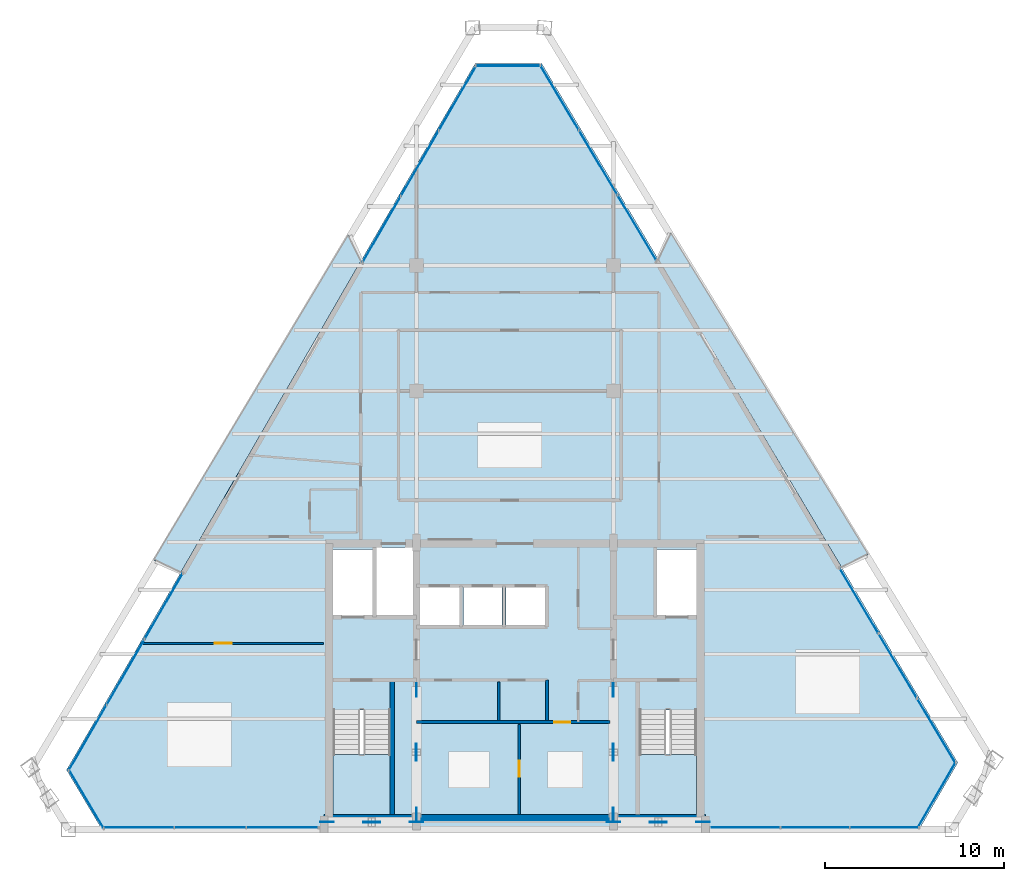
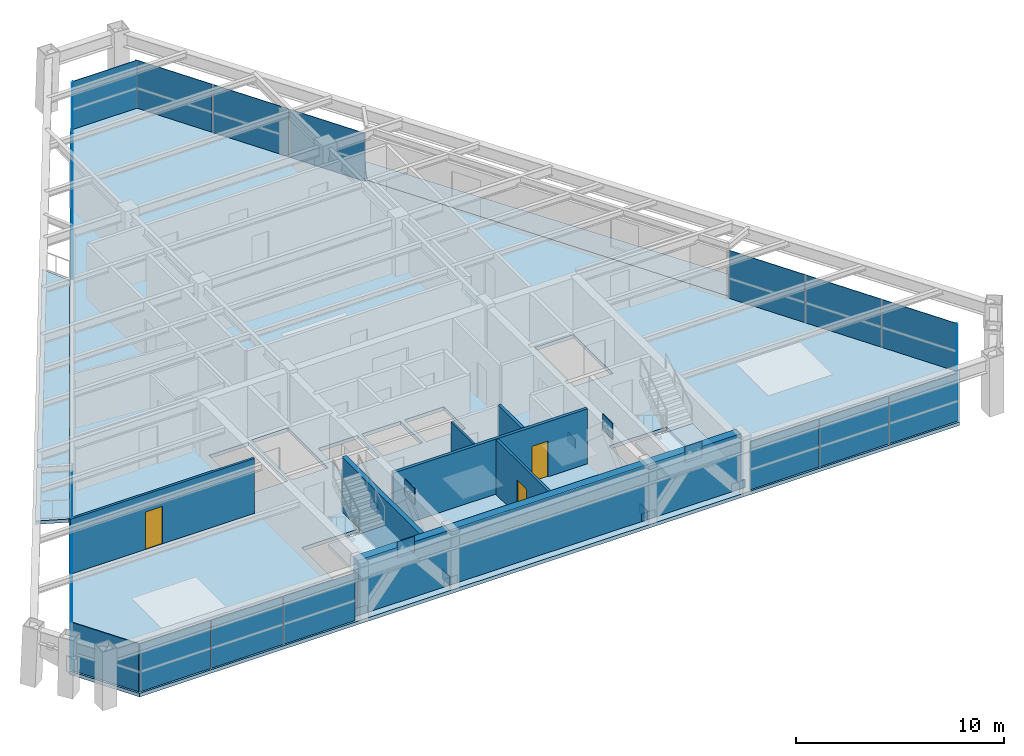
# One storey, part 8 of 13: 33 plates, 7 walls, 5 slabs, 3 doors, 3 openings, 11 elements without a shape of their own.
"""IFC4 building model written with IfcOpenShell, lengths in metres."""

from ifc_helpers import new_model, si_unit, direction, frame, frame_2d, origin, origin_2d, place, context, subcontext, project, spatial, polyline, rectangle, outline, extrude, source, transform, mapped, material, layer, layer_set, type_object, type_shapes, element, fill, aggregate, save


model = new_model("IFC4")

# Units and contexts
model_context = context("Model", 3, precision=1e-05, world=origin(), true_north=direction((0.0, 1.0)))
body_context = subcontext(model_context, "Body", "Model", "MODEL_VIEW")
ifc_project = project(units=[si_unit("LENGTHUNIT", "METRE"), si_unit("AREAUNIT", "SQUARE_METRE"), si_unit("VOLUMEUNIT", "CUBIC_METRE"), si_unit("PLANEANGLEUNIT", "RADIAN"), si_unit("MASSUNIT", "GRAM", prefix="KILO")], contexts=[model_context])

# Site, building, storey
site_placement = place(None, origin())
site = spatial("IfcSite", under=ifc_project, at=site_placement, CompositionType="ELEMENT")
building_placement = place(site_placement, origin())
building = spatial("IfcBuilding", under=site, at=building_placement, Name="Varnakhor Terracotta Tower", CompositionType="ELEMENT")
storey_placement = place(building_placement, frame((0.0, 0.0, 273.0)))
storey = spatial("IfcBuildingStorey", under=building, at=storey_placement, Name="L71", CompositionType="ELEMENT", Elevation=273.0)

# Slab
ifc_material_1 = material(Name="Concrete C40/50", Category="concrete")
ifc_layer_1 = layer(ifc_material_1, 0.2099609375, Name="Concrete C40/50")
ifc_layer_set_1 = layer_set([ifc_layer_1], Name="Concrete C40/50")
slab_type_1 = type_object("IfcSlabType", Name="SLB-HTL-210", PredefinedType="FLOOR", material=ifc_layer_set_1)
slab_1_placement = place(storey_placement, frame((0.0, 0.0, -0.2099609375)))
element("IfcSlab", 1, at=slab_1_placement, inside=storey, type_object=slab_type_1, Name="L71 Structural Floor Slab", PredefinedType="FLOOR", context=body_context, shape_type="SweptSolid", body=[
    extrude(outline(polyline([(-25.037109375, 3.33251953125), (-2.224853515625, 42.779541015625), (1.507080078125, 42.779541015625), (24.738525390625, 3.739990234375), (22.57568359375, 0.0), (-23.053955078125, 0.0), (-25.037109375, 3.33251953125)]), holes=[polyline([(-6.949951171875, 0.85009765625), (-6.949951171875, 6.695068359375), (-10.14990234375, 6.695068359375), (-10.14990234375, 0.85009765625), (-6.949951171875, 0.85009765625)]), polyline([(10.14990234375, 0.85009765625), (10.14990234375, 6.695068359375), (6.949951171875, 6.695068359375), (6.949951171875, 0.85009765625), (10.14990234375, 0.85009765625)]), polyline([(-3.10009765625, 11.419921875), (-3.10009765625, 13.52001953125), (-5.300048828125, 13.52001953125), (-5.300048828125, 11.419921875), (-3.10009765625, 11.419921875)]), polyline([(-0.719970703125, 11.419921875), (-0.719970703125, 13.52001953125), (-2.8798828125, 13.52001953125), (-2.8798828125, 11.419921875), (-0.719970703125, 11.419921875)]), polyline([(1.699951171875, 11.419921875), (1.699951171875, 13.52001953125), (-0.5, 13.52001953125), (-0.5, 11.419921875), (1.699951171875, 11.419921875)]), polyline([(-7.949951171875, 11.8798828125), (-7.949951171875, 15.64990234375), (-10.14990234375, 15.64990234375), (-10.14990234375, 11.8798828125), (-7.949951171875, 11.8798828125)]), polyline([(10.14990234375, 11.8798828125), (10.14990234375, 15.64990234375), (7.949951171875, 15.64990234375), (7.949951171875, 11.8798828125), (10.14990234375, 11.8798828125)]), polyline([(-5.699951171875, 11.8798828125), (-5.699951171875, 15.75), (-7.72998046875, 15.75), (-7.72998046875, 11.8798828125), (-5.699951171875, 11.8798828125)])]), origin(), (0.0, 0.0, 1.0), 0.2099609375),
])

# Stair, slab
stair_type = type_object("IfcStairType", Name="STR-CORE-HOTEL-1500", PredefinedType="HALF_TURN_STAIR", material=ifc_material_1)
stair_1_placement = place(storey_placement, origin())
stair_1 = element("IfcStair", 2, at=stair_1_placement, inside=storey, type_object=stair_type, Name="L71 Core Exit Stair ST-1", PredefinedType="HALF_TURN_STAIR")
ifc_layer_2 = layer(ifc_material_1, 0.179931640625, Name="Concrete C40/50")
ifc_layer_set_2 = layer_set([ifc_layer_2], Name="Concrete C40/50")
slab_type_2 = type_object("IfcSlabType", Name="SLB-LANDING-180", PredefinedType="LANDING", material=ifc_layer_set_2)
slab_2_placement = place(storey_placement, frame((0.0, 0.0, 1.52490234375)))
slab_2 = element("IfcSlab", 3, at=slab_2_placement, type_object=slab_type_2, Name="ST-1 landing 1", PredefinedType="LANDING", context=body_context, shape_type="SweptSolid", body=[
    extrude(outline(polyline([(-10.14990234375, 4.18994140625), (-10.14990234375, 0.85009765625), (-6.949951171875, 0.85009765625), (-6.949951171875, 4.18994140625), (-10.14990234375, 4.18994140625)])), origin(), (0.0, 0.0, 1.0), 0.2001953125),
])
aggregate(stair_1, [slab_2])

stair_2_placement = place(storey_placement, origin())
stair_2 = element("IfcStair", 4, at=stair_2_placement, inside=storey, type_object=stair_type, Name="L71 Core Exit Stair ST-2", PredefinedType="HALF_TURN_STAIR")
slab_3_placement = place(storey_placement, frame((0.0, 0.0, 1.52490234375)))
slab_3 = element("IfcSlab", 5, at=slab_3_placement, type_object=slab_type_2, Name="ST-2 landing 1", PredefinedType="LANDING", context=body_context, shape_type="SweptSolid", body=[
    extrude(outline(polyline([(6.949951171875, 4.18994140625), (6.949951171875, 0.85009765625), (10.14990234375, 0.85009765625), (10.14990234375, 4.18994140625), (6.949951171875, 4.18994140625)])), origin(), (0.0, 0.0, 1.0), 0.2001953125),
])
aggregate(stair_2, [slab_3])

# Slabs
ifc_layer_3 = layer(ifc_material_1, 0.195068359375, Name="Concrete C40/50")
ifc_layer_set_3 = layer_set([ifc_layer_3], Name="Concrete C40/50")
slab_type_3 = type_object("IfcSlabType", Name="SLB-LOGGIA-EXT-195", PredefinedType="FLOOR", material=ifc_layer_set_3)
slab_4_placement = place(storey_placement, frame((0.0, 0.0, -0.195068359375)))
element("IfcSlab", 6, at=slab_4_placement, inside=storey, type_object=slab_type_3, Name="L71 E Recessed Outdoor Loggia Slab", PredefinedType="FLOOR", context=body_context, shape_type="SweptSolid", body=[
    extrude(outline(polyline([(8.6875, 33.33837890625), (19.7314453125, 15.357421875), (18.23388671875, 14.671142578125), (8.011962890625, 31.848388671875), (8.6875, 33.33837890625)])), origin(), (0.0, 0.0, 1.0), 0.195068359375),
])
slab_5_placement = place(storey_placement, frame((0.0, 0.0, -0.195068359375)))
element("IfcSlab", 7, at=slab_5_placement, inside=storey, type_object=slab_type_3, Name="L71 W Recessed Outdoor Loggia Slab", PredefinedType="FLOOR", context=body_context, shape_type="SweptSolid", body=[
    extrude(outline(polyline([(-20.16162109375, 15.05029296875), (-9.293212890625, 33.218994140625), (-8.6123046875, 31.734375), (-12.767578125, 24.548828125), (-18.649658203125, 14.377685546875), (-20.16162109375, 15.05029296875)])), origin(), (0.0, 0.0, 1.0), 0.195068359375),
])

# Plates
ifc_material_2 = material(Name="Steel S460", Category="steel")
ifc_layer_4 = layer(ifc_material_2, 0.050048828125, Name="Steel S460")
ifc_layer_set_4 = layer_set([ifc_layer_4], Name="Steel S460")
plate_type_1 = type_object("IfcPlateType", Name="PLT-GUSSET-50", PredefinedType="USERDEFINED", material=ifc_layer_set_4)
shared_shape_1 = source(origin(), body_context, "Body", "SweptSolid", [
    extrude(rectangle(XDim=0.75, YDim=0.0400390625, at=origin_2d()), origin(), (0.0, 0.0, 1.0), 0.550048828125),
])
type_shapes(plate_type_1, [shared_shape_1])
for number, where, z_axis, x_axis, name in (
    (8, (-10.5, 0.419921875, -0.09521484375), (0.0, 0.0, 1.0), (1.0, 0.0, 0.0), "L71 Core Brace Embed Plate CSWA"),
    (9, (-5.5, 0.419921875, -0.09521484375), (0.0, 0.0, 1.0), (1.0, 0.0, 0.0), "L71 Core Brace Embed Plate CSWB"),
    (10, (5.5, 0.419921875, -0.09521484375), (0.0, 0.0, 1.0), (1.0, 0.0, 0.0), "L71 Core Brace Embed Plate CSEA"),
    (11, (10.5, 0.419921875, -0.09521484375), (0.0, 0.0, 1.0), (1.0, 0.0, 0.0), "L71 Core Brace Embed Plate CSEB"),
    (12, (-5.5, 0.85009765625, -0.09521484375), (0.0, 0.0, 1.0), (0.0, 1.0, 0.0), "L71 Core Brace Embed Plate CWWA"),
    (13, (-5.5, 7.800048828125, -0.09521484375), (0.0, 0.0, 1.0), (0.0, 1.0, 0.0), "L71 Core Brace Embed Plate CWWB"),
    (14, (5.5, 0.85009765625, -0.09521484375), (0.0, 0.0, 1.0), (0.0, 1.0, 0.0), "L71 Core Brace Embed Plate CWEA"),
    (15, (5.5, 7.800048828125, -0.09521484375), (0.0, 0.0, 1.0), (0.0, 1.0, 0.0), "L71 Core Brace Embed Plate CWEB"),
):
    element("IfcPlate", number, at=place(storey_placement, frame(where, z_axis=z_axis, x_axis=x_axis)), inside=storey, type_object=plate_type_1, Name=name, ObjectType="GUSSET PLATE", PredefinedType="USERDEFINED", context=body_context, shape_type="MappedRepresentation", body=[
        mapped(shared_shape_1, transform((0.0, 0.0, 0.0), scale=1.0)),
    ])
shared_shape_2 = source(origin(), body_context, "Body", "SweptSolid", [
    extrude(rectangle(XDim=0.949951171875, YDim=0.044921875, at=origin_2d()), origin(), (0.0, 0.0, 1.0), 0.949951171875),
])
for number, where, z_axis, x_axis, name in (
    (16, (-8.0, 0.419921875, 2.615234375), (0.0, 0.0, 1.0), (1.0, 0.0, 0.0), "L71 Core Brace Apex Gusset CSW"),
    (17, (8.0, 0.419921875, 2.615234375), (0.0, 0.0, 1.0), (1.0, 0.0, 0.0), "L71 Core Brace Apex Gusset CSE"),
    (18, (-5.5, 4.324951171875, 2.615234375), (0.0, 0.0, 1.0), (0.0, 1.0, 0.0), "L71 Core Brace Apex Gusset CWW"),
    (19, (5.5, 4.324951171875, 2.615234375), (0.0, 0.0, 1.0), (0.0, 1.0, 0.0), "L71 Core Brace Apex Gusset CWE"),
):
    element("IfcPlate", number, at=place(storey_placement, frame(where, z_axis=z_axis, x_axis=x_axis)), inside=storey, type_object=plate_type_1, Name=name, ObjectType="GUSSET PLATE", PredefinedType="USERDEFINED", context=body_context, shape_type="MappedRepresentation", body=[
        mapped(shared_shape_2, transform((0.0, 0.0, 0.0), scale=1.0)),
    ])

# Curtain wall, plates
ifc_material_3 = material(Name="Anodised Aluminium Curtain Wall System", Category="aluminium")
curtain_wall_type = type_object("IfcCurtainWallType", Name="CW-SYS-HOTEL-LOGGIA", PredefinedType="NOTDEFINED", material=ifc_material_3)
curtain_wall_1_placement = place(storey_placement, origin())
curtain_wall_1 = element("IfcCurtainWall", 20, at=curtain_wall_1_placement, inside=storey, type_object=curtain_wall_type, Name="L71 W Facet Curtain Wall 1", PredefinedType="NOTDEFINED")
ifc_material_4 = material(Name="Solar-Control Low-E Insulated Glass Panel", Category="glass")
ifc_layer_5 = layer(ifc_material_4, 0.033935546875, Name="Solar-Control Low-E Insulated Glass Panel")
ifc_layer_set_5 = layer_set([ifc_layer_5], Name="Solar-Control Low-E Insulated Glass Panel")
plate_type_2 = type_object("IfcPlateType", Name="CWP-04", PredefinedType="CURTAIN_PANEL", material=ifc_layer_set_5)
shared_shape_3 = source(origin(), body_context, "Body", "SweptSolid", [
    extrude(rectangle(XDim=4.193115234375, YDim=0.035888671875, at=origin_2d()), origin(), (0.0, 0.0, 1.0), 2.820068359375),
])
plate_1_placement = place(storey_placement, frame((-23.858642578125, 5.130615234375, 0.0), z_axis=(0.0, 0.0, 1.0), x_axis=(0.500619586714, 0.865667389589, 0.0)))
plate_1 = element("IfcPlate", 21, at=plate_1_placement, type_object=plate_type_2, Name="L71 W Facet Curtain Wall 1 Glazed Panel 1", PredefinedType="CURTAIN_PANEL", context=body_context, shape_type="MappedRepresentation", body=[
    mapped(shared_shape_3, transform((0.0, 0.0, 0.0), scale=1.0)),
])
plate_2_placement = place(storey_placement, frame((-21.739501953125, 8.794921875, 0.0), z_axis=(0.0, 0.0, 1.0), x_axis=(0.500619586714, 0.865667389589, 0.0)))
plate_2 = element("IfcPlate", 22, at=plate_2_placement, type_object=plate_type_2, Name="L71 W Facet Curtain Wall 1 Glazed Panel 2", PredefinedType="CURTAIN_PANEL", context=body_context, shape_type="MappedRepresentation", body=[
    mapped(shared_shape_3, transform((0.0, 0.0, 0.0), scale=1.0)),
])
plate_3_placement = place(storey_placement, frame((-19.620361328125, 12.45947265625, 0.0), z_axis=(0.0, 0.0, 1.0), x_axis=(0.500619586714, 0.865667389589, 0.0)))
plate_3 = element("IfcPlate", 23, at=plate_3_placement, type_object=plate_type_2, Name="L71 W Facet Curtain Wall 1 Glazed Panel 3", PredefinedType="CURTAIN_PANEL", context=body_context, shape_type="MappedRepresentation", body=[
    mapped(shared_shape_3, transform((0.0, 0.0, 0.0), scale=1.0)),
])
aggregate(curtain_wall_1, [plate_1, plate_2, plate_3])

curtain_wall_2_placement = place(storey_placement, origin())
curtain_wall_2 = element("IfcCurtainWall", 24, at=curtain_wall_2_placement, inside=storey, type_object=curtain_wall_type, Name="L71 W Facet Curtain Wall 2", PredefinedType="NOTDEFINED")
plate_4_placement = place(storey_placement, frame((-7.433837890625, 33.532470703125, 0.0), z_axis=(0.0, 0.0, 1.0), x_axis=(0.500619586714, 0.865667389589, 0.0)))
plate_4 = element("IfcPlate", 25, at=plate_4_placement, type_object=plate_type_2, Name="L71 W Facet Curtain Wall 2 Glazed Panel 1", PredefinedType="CURTAIN_PANEL", context=body_context, shape_type="MappedRepresentation", body=[
    mapped(shared_shape_3, transform((0.0, 0.0, 0.0), scale=1.0)),
])
plate_5_placement = place(storey_placement, frame((-5.314697265625, 37.197021484375, 0.0), z_axis=(0.0, 0.0, 1.0), x_axis=(0.500619586714, 0.865667389589, 0.0)))
plate_5 = element("IfcPlate", 26, at=plate_5_placement, type_object=plate_type_2, Name="L71 W Facet Curtain Wall 2 Glazed Panel 2", PredefinedType="CURTAIN_PANEL", context=body_context, shape_type="MappedRepresentation", body=[
    mapped(shared_shape_3, transform((0.0, 0.0, 0.0), scale=1.0)),
])
plate_6_placement = place(storey_placement, frame((-3.195556640625, 40.861328125, 0.0), z_axis=(0.0, 0.0, 1.0), x_axis=(0.500619586714, 0.865667389589, 0.0)))
plate_6 = element("IfcPlate", 27, at=plate_6_placement, type_object=plate_type_2, Name="L71 W Facet Curtain Wall 2 Glazed Panel 3", PredefinedType="CURTAIN_PANEL", context=body_context, shape_type="MappedRepresentation", body=[
    mapped(shared_shape_3, transform((0.0, 0.0, 0.0), scale=1.0)),
])
aggregate(curtain_wall_2, [plate_4, plate_5, plate_6])

# Curtain wall, plate
curtain_wall_3_placement = place(storey_placement, origin())
curtain_wall_3 = element("IfcCurtainWall", 28, at=curtain_wall_3_placement, inside=storey, type_object=curtain_wall_type, Name="L71 Facet Curtain Wall 2", PredefinedType="NOTDEFINED")
shared_shape_4 = source(origin(), body_context, "Body", "SweptSolid", [
    extrude(rectangle(XDim=3.632080078125, YDim=0.035888671875, at=origin_2d()), origin(), (0.0, 0.0, 1.0), 2.820068359375),
])
plate_7_placement = place(storey_placement, frame((-0.35888671875, 42.65966796875, 0.0), z_axis=(0.0, 0.0, 1.0), x_axis=(1.0, 0.0, 0.0)))
plate_7 = element("IfcPlate", 29, at=plate_7_placement, type_object=plate_type_2, Name="L71 Facet Curtain Wall 2 Glazed Panel 1", PredefinedType="CURTAIN_PANEL", context=body_context, shape_type="MappedRepresentation", body=[
    mapped(shared_shape_4, transform((0.0, 0.0, 0.0), scale=1.0)),
])
aggregate(curtain_wall_3, [plate_7])

# Curtain wall, plates
curtain_wall_4_placement = place(storey_placement, origin())
curtain_wall_4 = element("IfcCurtainWall", 30, at=curtain_wall_4_placement, inside=storey, type_object=curtain_wall_type, Name="L71 E Facet Curtain Wall 1", PredefinedType="NOTDEFINED")
shared_shape_5 = source(origin(), body_context, "Body", "SweptSolid", [
    extrude(rectangle(XDim=4.18017578125, YDim=0.035888671875, at=origin_2d()), origin(), (0.0, 0.0, 1.0), 2.820068359375),
])
plate_8_placement = place(storey_placement, frame((2.498291015625, 40.879150390625, 0.0), z_axis=(0.0, 0.0, 1.0), x_axis=(0.511383080102, -0.859352864303, 0.0)))
plate_8 = element("IfcPlate", 31, at=plate_8_placement, type_object=plate_type_2, Name="L71 E Facet Curtain Wall 1 Glazed Panel 1", PredefinedType="CURTAIN_PANEL", context=body_context, shape_type="MappedRepresentation", body=[
    mapped(shared_shape_5, transform((0.0, 0.0, 0.0), scale=1.0)),
])
plate_9_placement = place(storey_placement, frame((6.814453125, 33.626220703125, 0.0), z_axis=(0.0, 0.0, 1.0), x_axis=(0.511383080102, -0.859352864303, 0.0)))
plate_9 = element("IfcPlate", 32, at=plate_9_placement, type_object=plate_type_2, Name="L71 E Facet Curtain Wall 1 Glazed Panel 3", PredefinedType="CURTAIN_PANEL", context=body_context, shape_type="MappedRepresentation", body=[
    mapped(shared_shape_5, transform((0.0, 0.0, 0.0), scale=1.0)),
])

# Curtain wall, plate
curtain_wall_5_placement = place(storey_placement, origin())
curtain_wall_5 = element("IfcCurtainWall", 33, at=curtain_wall_5_placement, inside=storey, type_object=curtain_wall_type, Name="L71 E Facet Curtain Wall 2", PredefinedType="NOTDEFINED")
plate_10_placement = place(storey_placement, frame((21.383056640625, 9.144287109375, 0.0), z_axis=(0.0, 0.0, 1.0), x_axis=(0.511383080102, -0.859352864303, 0.0)))
plate_10 = element("IfcPlate", 34, at=plate_10_placement, type_object=plate_type_2, Name="L71 E Facet Curtain Wall 2 Glazed Panel 2", PredefinedType="CURTAIN_PANEL", context=body_context, shape_type="MappedRepresentation", body=[
    mapped(shared_shape_5, transform((0.0, 0.0, 0.0), scale=1.0)),
])

# Plate
shared_shape_6 = source(origin(), body_context, "Body", "SweptSolid", [
    extrude(rectangle(XDim=4.179931640625, YDim=0.035888671875, at=origin_2d()), origin(), (0.0, 0.0, 1.0), 2.820068359375),
])
plate_11_placement = place(storey_placement, frame((4.656494140625, 37.252685546875, 0.0), z_axis=(0.0, 0.0, 1.0), x_axis=(0.511383080102, -0.859352864303, 0.0)))
plate_11 = element("IfcPlate", 35, at=plate_11_placement, type_object=plate_type_2, Name="L71 E Facet Curtain Wall 1 Glazed Panel 2", PredefinedType="CURTAIN_PANEL", context=body_context, shape_type="MappedRepresentation", body=[
    mapped(shared_shape_6, transform((0.0, 0.0, 0.0), scale=1.0)),
])

aggregate(curtain_wall_4, [plate_8, plate_11, plate_9])

plate_12_placement = place(storey_placement, frame((19.22509765625, 12.770751953125, 0.0), z_axis=(0.0, 0.0, 1.0), x_axis=(0.511383080102, -0.859352864303, 0.0)))
plate_12 = element("IfcPlate", 36, at=plate_12_placement, type_object=plate_type_2, Name="L71 E Facet Curtain Wall 2 Glazed Panel 1", PredefinedType="CURTAIN_PANEL", context=body_context, shape_type="MappedRepresentation", body=[
    mapped(shared_shape_6, transform((0.0, 0.0, 0.0), scale=1.0)),
])

plate_13_placement = place(storey_placement, frame((23.541015625, 5.517822265625, 0.0), z_axis=(0.0, 0.0, 1.0), x_axis=(0.511383080102, -0.859352864303, 0.0)))
plate_13 = element("IfcPlate", 37, at=plate_13_placement, type_object=plate_type_2, Name="L71 E Facet Curtain Wall 2 Glazed Panel 3", PredefinedType="CURTAIN_PANEL", context=body_context, shape_type="MappedRepresentation", body=[
    mapped(shared_shape_6, transform((0.0, 0.0, 0.0), scale=1.0)),
])

aggregate(curtain_wall_5, [plate_12, plate_10, plate_13])

# Curtain wall, plate
curtain_wall_6_placement = place(storey_placement, origin())
curtain_wall_6 = element("IfcCurtainWall", 38, at=curtain_wall_6_placement, inside=storey, type_object=curtain_wall_type, Name="L71 Facet Curtain Wall 4", PredefinedType="NOTDEFINED")
shared_shape_7 = source(origin(), body_context, "Body", "SweptSolid", [
    extrude(rectangle(XDim=4.220703125, YDim=0.035888671875, at=origin_2d()), origin(), (0.0, 0.0, 1.0), 2.820068359375),
])
plate_14_placement = place(storey_placement, frame((23.55322265625, 1.93017578125, 0.0), z_axis=(0.0, 0.0, 1.0), x_axis=(-0.500634695384, -0.865658651997, 0.0)))
plate_14 = element("IfcPlate", 39, at=plate_14_placement, type_object=plate_type_2, Name="L71 Facet Curtain Wall 4 Glazed Panel 1", PredefinedType="CURTAIN_PANEL", context=body_context, shape_type="MappedRepresentation", body=[
    mapped(shared_shape_7, transform((0.0, 0.0, 0.0), scale=1.0)),
])
aggregate(curtain_wall_6, [plate_14])

# Curtain wall, plates
curtain_wall_7_placement = place(storey_placement, origin())
curtain_wall_7 = element("IfcCurtainWall", 40, at=curtain_wall_7_placement, inside=storey, type_object=curtain_wall_type, Name="L71 South Wing Curtain Wall SSE", PredefinedType="NOTDEFINED")
shared_shape_8 = source(origin(), body_context, "Body", "SweptSolid", [
    extrude(rectangle(XDim=3.8251953125, YDim=0.035888671875, at=origin_2d()), origin(), (0.0, 0.0, 1.0), 2.820068359375),
])
plate_15_placement = place(storey_placement, frame((20.633056640625, 0.1201171875, 0.0), z_axis=(0.0, 0.0, 1.0), x_axis=(-1.0, 0.0, 0.0)))
plate_15 = element("IfcPlate", 41, at=plate_15_placement, type_object=plate_type_2, Name="L71 South Wing Curtain Wall SSE Glazed Panel 1", PredefinedType="CURTAIN_PANEL", context=body_context, shape_type="MappedRepresentation", body=[
    mapped(shared_shape_8, transform((0.0, 0.0, 0.0), scale=1.0)),
])
plate_16_placement = place(storey_placement, frame((16.767822265625, 0.1201171875, 0.0), z_axis=(0.0, 0.0, 1.0), x_axis=(-1.0, 0.0, 0.0)))
plate_16 = element("IfcPlate", 42, at=plate_16_placement, type_object=plate_type_2, Name="L71 South Wing Curtain Wall SSE Glazed Panel 2", PredefinedType="CURTAIN_PANEL", context=body_context, shape_type="MappedRepresentation", body=[
    mapped(shared_shape_8, transform((0.0, 0.0, 0.0), scale=1.0)),
])
plate_17_placement = place(storey_placement, frame((12.902587890625, 0.1201171875, 0.0), z_axis=(0.0, 0.0, 1.0), x_axis=(-1.0, 0.0, 0.0)))
plate_17 = element("IfcPlate", 43, at=plate_17_placement, type_object=plate_type_2, Name="L71 South Wing Curtain Wall SSE Glazed Panel 3", PredefinedType="CURTAIN_PANEL", context=body_context, shape_type="MappedRepresentation", body=[
    mapped(shared_shape_8, transform((0.0, 0.0, 0.0), scale=1.0)),
])
aggregate(curtain_wall_7, [plate_15, plate_16, plate_17])

curtain_wall_8_placement = place(storey_placement, origin())
curtain_wall_8 = element("IfcCurtainWall", 44, at=curtain_wall_8_placement, inside=storey, type_object=curtain_wall_type, Name="L71 South Wing Curtain Wall SSW", PredefinedType="NOTDEFINED")
shared_shape_9 = source(origin(), body_context, "Body", "SweptSolid", [
    extrude(rectangle(XDim=3.984619140625, YDim=0.035888671875, at=origin_2d()), origin(), (0.0, 0.0, 1.0), 2.820068359375),
])
plate_18_placement = place(storey_placement, frame((-12.982421875, 0.1201171875, 0.0), z_axis=(0.0, 0.0, 1.0), x_axis=(-1.0, 0.0, 0.0)))
plate_18 = element("IfcPlate", 45, at=plate_18_placement, type_object=plate_type_2, Name="L71 South Wing Curtain Wall SSW Glazed Panel 1", PredefinedType="CURTAIN_PANEL", context=body_context, shape_type="MappedRepresentation", body=[
    mapped(shared_shape_9, transform((0.0, 0.0, 0.0), scale=1.0)),
])
plate_19_placement = place(storey_placement, frame((-17.007080078125, 0.1201171875, 0.0), z_axis=(0.0, 0.0, 1.0), x_axis=(-1.0, 0.0, 0.0)))
plate_19 = element("IfcPlate", 46, at=plate_19_placement, type_object=plate_type_2, Name="L71 South Wing Curtain Wall SSW Glazed Panel 2", PredefinedType="CURTAIN_PANEL", context=body_context, shape_type="MappedRepresentation", body=[
    mapped(shared_shape_9, transform((0.0, 0.0, 0.0), scale=1.0)),
])
plate_20_placement = place(storey_placement, frame((-21.031494140625, 0.1201171875, 0.0), z_axis=(0.0, 0.0, 1.0), x_axis=(-1.0, 0.0, 0.0)))
plate_20 = element("IfcPlate", 47, at=plate_20_placement, type_object=plate_type_2, Name="L71 South Wing Curtain Wall SSW Glazed Panel 3", PredefinedType="CURTAIN_PANEL", context=body_context, shape_type="MappedRepresentation", body=[
    mapped(shared_shape_9, transform((0.0, 0.0, 0.0), scale=1.0)),
])
aggregate(curtain_wall_8, [plate_18, plate_19, plate_20])

# Curtain wall, plate
curtain_wall_9_placement = place(storey_placement, origin())
curtain_wall_9 = element("IfcCurtainWall", 48, at=curtain_wall_9_placement, inside=storey, type_object=curtain_wall_type, Name="L71 Facet Curtain Wall 6", PredefinedType="NOTDEFINED")
shared_shape_10 = source(origin(), body_context, "Body", "SweptSolid", [
    extrude(rectangle(XDim=3.778076171875, YDim=0.035888671875, at=origin_2d()), origin(), (0.0, 0.0, 1.0), 2.820068359375),
])
plate_21_placement = place(storey_placement, frame((-23.9423828125, 1.7275390625, 0.0), z_axis=(0.0, 0.0, 1.0), x_axis=(-0.511383080102, 0.859352864303, 0.0)))
plate_21 = element("IfcPlate", 49, at=plate_21_placement, type_object=plate_type_2, Name="L71 Facet Curtain Wall 6 Glazed Panel 1", PredefinedType="CURTAIN_PANEL", context=body_context, shape_type="MappedRepresentation", body=[
    mapped(shared_shape_10, transform((0.0, 0.0, 0.0), scale=1.0)),
])
aggregate(curtain_wall_9, [plate_21])

# Wall
ifc_material_5 = material(Name="Concrete C50/60", Category="concrete")
ifc_layer_6 = layer(ifc_material_5, 0.449951171875, Name="Concrete C50/60")
ifc_layer_set_6 = layer_set([ifc_layer_6], Name="Concrete C50/60")
wall_type_1 = type_object("IfcWallType", Name="WAL-CORE-450", PredefinedType="SHEAR", material=ifc_layer_set_6)
wall_1_placement = place(storey_placement, frame((-10.64990234375, 0.625, 0.0), z_axis=(0.0, 0.0, 1.0), x_axis=(1.0, 0.0, 0.0)))
element("IfcWall", 50, at=wall_1_placement, inside=storey, type_object=wall_type_1, Name="L71 South Core Shear Wall", PredefinedType="SHEAR", context=body_context, shape_type="SweptSolid", body=[
    extrude(rectangle(XDim=21.2998046875, YDim=0.449951171875, at=frame_2d((10.64990234375, 0.0))), origin(), (0.0, 0.0, 1.0), 3.239990234375),
])

# Wall, opening, door
ifc_material_6 = material(Name="Acoustic Hotel Room Partition", Category="gypsum")
ifc_layer_7 = layer(ifc_material_6, 0.1298828125, Name="Acoustic Hotel Room Partition")
ifc_layer_set_7 = layer_set([ifc_layer_7], Name="Acoustic Hotel Room Partition")
wall_type_2 = type_object("IfcWallType", Name="WAL-PART-130", PredefinedType="PARTITIONING", material=ifc_layer_set_7)
wall_2_placement = place(storey_placement, frame((-20.9384765625, 10.39990234375, 0.0), z_axis=(0.0, 0.0, 1.0), x_axis=(1.0, 0.0, 0.0)))
wall_2 = element("IfcWall", 51, at=wall_2_placement, inside=storey, type_object=wall_type_2, Name="L71 SW Key Split 1", PredefinedType="PARTITIONING", context=body_context, shape_type="SweptSolid", body=[
    extrude(rectangle(XDim=10.258544921875, YDim=0.1298828125, at=frame_2d((5.12939453125, 0.0))), origin(), (0.0, 0.0, 1.0), 3.23193359375),
])
opening_1_placement = place(wall_2_placement, frame((4.17529296875, 0.0, 0.0)))
opening_1 = element("IfcOpeningElement", 52, at=opening_1_placement, cuts=wall_2, Name="Opening DR-94", PredefinedType="OPENING", context=body_context, shape_type="SweptSolid", body=[
    extrude(rectangle(XDim=0.949951171875, YDim=2.199951171875, at=frame_2d((0.47509765625, 1.10009765625))), frame((0.0, 0.074951171875, 0.0), z_axis=(0.0, -1.0, 0.0), x_axis=(1.0, 0.0, 0.0)), (0.0, 0.0, 1.0), 0.14990234375),
])
ifc_material_7 = material(Name="Acoustic Glazed-Vision Timber Office Door", Category="wood")
door_type_1 = type_object("IfcDoorType", Name="DR-OFF-950X2200", OperationType="NOTDEFINED", PredefinedType="DOOR", material=ifc_material_7)
shared_shape_11 = source(origin(), body_context, "Body", "SweptSolid", [
    extrude(rectangle(XDim=0.949951171875, YDim=2.199951171875, at=frame_2d((0.47509765625, 1.10009765625))), frame((0.0, 0.02490234375, 0.0), z_axis=(0.0, -1.0, 0.0), x_axis=(1.0, 0.0, 0.0)), (0.0, 0.0, 1.0), 0.050048828125),
])
type_shapes(door_type_1, [shared_shape_11])
door_1_placement = place(opening_1_placement, origin())
door_1 = element("IfcDoor", 53, at=door_1_placement, inside=storey, type_object=door_type_1, Name="L71 SW Suite Connect Door 1", OperationType="SINGLE_SWING_RIGHT", OverallHeight=2.199951171875, OverallWidth=0.949951171875, PredefinedType="DOOR", context=body_context, shape_type="MappedRepresentation", body=[
    mapped(shared_shape_11, transform((0.0, 0.0, 0.0), scale=1.0)),
])
fill(opening_1, door_1)

# Walls
ifc_layer_8 = layer(ifc_material_1, 0.25, Name="Concrete C40/50")
ifc_layer_set_8 = layer_set([ifc_layer_8], Name="Concrete C40/50")
wall_type_3 = type_object("IfcWallType", Name="WAL-SHAFT-250", PredefinedType="SOLIDWALL", material=ifc_layer_set_8)
wall_3_placement = place(storey_placement, frame((-6.85009765625, 0.85009765625, 0.0), z_axis=(0.0, 0.0, 1.0), x_axis=(0.0, 1.0, 0.0)))
element("IfcWall", 54, at=wall_3_placement, inside=storey, type_object=wall_type_3, Name="L71 Stair ST-1 Bearing Shaft Wall", PredefinedType="SOLIDWALL", context=body_context, shape_type="SweptSolid", body=[
    extrude(rectangle(XDim=7.5, YDim=0.25, at=frame_2d((3.75, 0.0))), origin(), (0.0, 0.0, 1.0), 3.239990234375),
])
ifc_material_8 = material(Name="Acoustic Fire-Rated Partition", Category="gypsum")
ifc_layer_9 = layer(ifc_material_8, 0.114990234375, Name="Acoustic Fire-Rated Partition")
ifc_layer_set_9 = layer_set([ifc_layer_9], Name="Acoustic Fire-Rated Partition")
wall_type_4 = type_object("IfcWallType", Name="WAL-TENANCY-115", PredefinedType="PARTITIONING", material=ifc_layer_set_9)
wall_4_placement = place(storey_placement, frame((-0.89990234375, 6.10009765625, 0.0), z_axis=(0.0, 0.0, 1.0), x_axis=(0.0, 1.0, 0.0)))
element("IfcWall", 55, at=wall_4_placement, inside=storey, type_object=wall_type_4, Name="L71 Reclaimed Mid-Core Split Wall", PredefinedType="PARTITIONING", context=body_context, shape_type="SweptSolid", body=[
    extrude(rectangle(XDim=2.14990234375, YDim=0.114990234375, at=frame_2d((1.074951171875, 0.0))), origin(), (0.0, 0.0, 1.0), 3.23193359375),
])

# Wall, opening, door
ifc_layer_10 = layer(ifc_material_8, 0.139892578125, Name="Acoustic Fire-Rated Partition")
ifc_layer_set_10 = layer_set([ifc_layer_10], Name="Acoustic Fire-Rated Partition")
wall_type_5 = type_object("IfcWallType", Name="WAL-TENANCY-140", PredefinedType="PARTITIONING", material=ifc_layer_set_10)
wall_5_placement = place(storey_placement, frame((0.25, 0.85009765625, 0.0), z_axis=(0.0, 0.0, 1.0), x_axis=(0.0, 1.0, 0.0)))
wall_5 = element("IfcWall", 56, at=wall_5_placement, inside=storey, type_object=wall_type_5, Name="L71 Reclaimed Core Bay Split Wall", PredefinedType="PARTITIONING", context=body_context, shape_type="SweptSolid", body=[
    extrude(rectangle(XDim=5.02978515625, YDim=0.139892578125, at=frame_2d((2.514892578125, 0.0))), origin(), (0.0, 0.0, 1.0), 3.23193359375),
])
opening_2_placement = place(wall_5_placement, frame((2.10009765625, 0.0, 0.0)))
opening_2 = element("IfcOpeningElement", 57, at=opening_2_placement, cuts=wall_5, Name="Opening DR-67", PredefinedType="OPENING", context=body_context, shape_type="SweptSolid", body=[
    extrude(rectangle(XDim=0.89990234375, YDim=2.10009765625, at=frame_2d((0.449951171875, 1.050048828125))), frame((0.0, 0.080078125, 0.0), z_axis=(0.0, -1.0, 0.0), x_axis=(1.0, 0.0, 0.0)), (0.0, 0.0, 1.0), 0.159912109375),
])
ifc_material_9 = material(Name="Steel Service Riser Fire Door", Category="steel")
door_type_2 = type_object("IfcDoorType", Name="DR-RISER-900X2100", OperationType="NOTDEFINED", PredefinedType="DOOR", material=ifc_material_9)
shared_shape_12 = source(origin(), body_context, "Body", "SweptSolid", [
    extrude(rectangle(XDim=0.89990234375, YDim=2.10009765625, at=frame_2d((0.449951171875, 1.050048828125))), frame((0.0, 0.02490234375, 0.0), z_axis=(0.0, -1.0, 0.0), x_axis=(1.0, 0.0, 0.0)), (0.0, 0.0, 1.0), 0.050048828125),
])
type_shapes(door_type_2, [shared_shape_12])
door_2_placement = place(opening_2_placement, origin())
door_2 = element("IfcDoor", 58, at=door_2_placement, inside=storey, type_object=door_type_2, Name="L71 Core Inner Service Door", OperationType="SINGLE_SWING_LEFT", OverallHeight=2.10009765625, OverallWidth=0.89990234375, PredefinedType="DOOR", context=body_context, shape_type="MappedRepresentation", body=[
    mapped(shared_shape_12, transform((0.0, 0.0, 0.0), scale=1.0)),
])
fill(opening_2, door_2)

ifc_layer_11 = layer(ifc_material_8, 0.1650390625, Name="Acoustic Fire-Rated Partition")
ifc_layer_set_11 = layer_set([ifc_layer_11], Name="Acoustic Fire-Rated Partition")
wall_type_6 = type_object("IfcWallType", Name="WAL-TENANCY-165", PredefinedType="PARTITIONING", material=ifc_layer_set_11)
wall_6_placement = place(storey_placement, frame((-5.5, 6.0, 0.0), z_axis=(0.0, 0.0, 1.0), x_axis=(1.0, 0.0, 0.0)))
wall_6 = element("IfcWall", 59, at=wall_6_placement, inside=storey, type_object=wall_type_6, Name="L71 Reclaimed Core Bay North Rated Wall", PredefinedType="PARTITIONING", context=body_context, shape_type="SweptSolid", body=[
    extrude(rectangle(XDim=10.800048828125, YDim=0.1650390625, at=frame_2d((5.39990234375, 0.0))), origin(), (0.0, 0.0, 1.0), 3.23193359375),
])
opening_3_placement = place(wall_6_placement, frame((7.699951171875, 0.0, 0.0)))
opening_3 = element("IfcOpeningElement", 60, at=opening_3_placement, cuts=wall_6, Name="Opening DR-67", PredefinedType="OPENING", context=body_context, shape_type="SweptSolid", body=[
    extrude(rectangle(XDim=0.89990234375, YDim=2.10009765625, at=frame_2d((0.449951171875, 1.050048828125))), frame((0.0, 0.092529296875, 0.0), z_axis=(0.0, -1.0, 0.0), x_axis=(1.0, 0.0, 0.0)), (0.0, 0.0, 1.0), 0.18505859375),
])
door_3_placement = place(opening_3_placement, origin())
door_3 = element("IfcDoor", 61, at=door_3_placement, inside=storey, type_object=door_type_2, Name="L71 Core Reclaimed Suite Door", OperationType="SINGLE_SWING_RIGHT", OverallHeight=2.10009765625, OverallWidth=0.89990234375, PredefinedType="DOOR", context=body_context, shape_type="MappedRepresentation", body=[
    mapped(shared_shape_12, transform((0.0, 0.0, 0.0), scale=1.0)),
])
fill(opening_3, door_3)

# Wall
wall_7_placement = place(storey_placement, frame((1.800048828125, 6.10009765625, 0.0), z_axis=(0.0, 0.0, 1.0), x_axis=(0.0, 1.0, 0.0)))
element("IfcWall", 62, at=wall_7_placement, inside=storey, type_object=wall_type_6, Name="L71 Reclaimed Mid-Core East Wall", PredefinedType="PARTITIONING", context=body_context, shape_type="SweptSolid", body=[
    extrude(rectangle(XDim=2.25, YDim=0.1650390625, at=frame_2d((1.125, 0.0))), origin(), (0.0, 0.0, 1.0), 3.23193359375),
])

save(model, "model.ifc")
